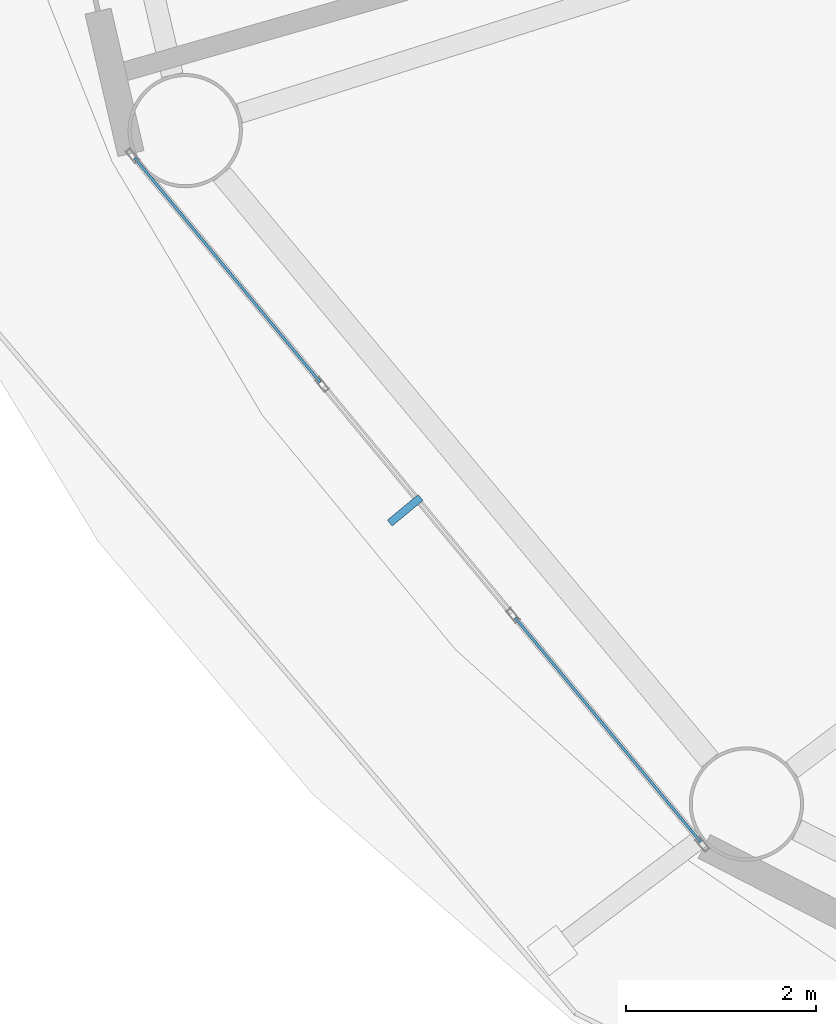
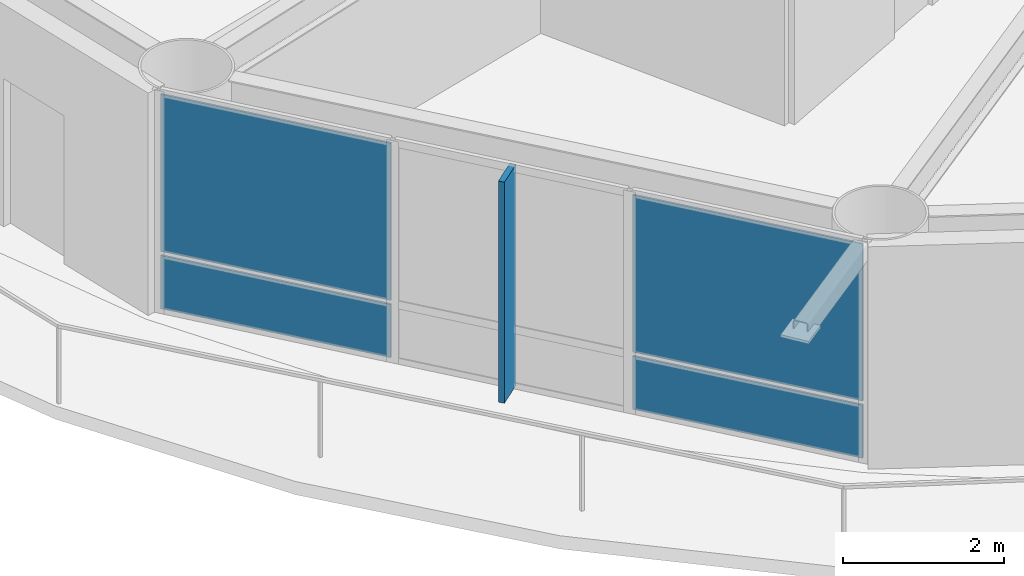
# One storey, part 14 of 24: 5 plates, 1 element without a shape of its own.
"""IFC4 building model written with IfcOpenShell, lengths in metres."""

from ifc_helpers import new_model, si_unit, direction, frame, origin, origin_2d, place, context, subcontext, project, spatial, rectangle, extrude, material, layer, layer_set, type_object, element, aggregate, save


model = new_model("IFC4")

# Units and contexts
model_context = context("Model", 3, precision=1e-05, world=origin(), true_north=direction((0.0, 1.0)))
body_context = subcontext(model_context, "Body", "Model", "MODEL_VIEW")
ifc_project = project(units=[si_unit("LENGTHUNIT", "METRE"), si_unit("AREAUNIT", "SQUARE_METRE"), si_unit("VOLUMEUNIT", "CUBIC_METRE"), si_unit("PLANEANGLEUNIT", "RADIAN"), si_unit("MASSUNIT", "GRAM", prefix="KILO")], contexts=[model_context])

# Site, building, storey
site_placement = place(None, origin())
site = spatial("IfcSite", under=ifc_project, at=site_placement, CompositionType="ELEMENT")
building_placement = place(site_placement, origin())
building = spatial("IfcBuilding", under=site, at=building_placement, Name="Sarneth Arch Tower", CompositionType="ELEMENT")
storey_placement = place(building_placement, frame((0.0, 0.0, 98.39990234375)))
storey = spatial("IfcBuildingStorey", under=building, at=storey_placement, Name="L24", CompositionType="ELEMENT", Elevation=98.39990234375)

# Curtain wall, plates
ifc_material_1 = material(Name="Anodised aluminium Type AA25 and solar-control low-e laminated IGU", Category="aluminium")
ifc_layer_1 = layer(ifc_material_1, 0.159912109375)
ifc_layer_set_1 = layer_set([ifc_layer_1], Name="Anodised aluminium Type AA25 and solar-control low-e laminated IGU")
curtain_wall_type = type_object("IfcCurtainWallType", Name="CW-HOTEL-MID", PredefinedType="NOTDEFINED", material=ifc_layer_set_1)
curtain_wall_placement = place(storey_placement, origin())
curtain_wall = element("IfcCurtainWall", 1, at=curtain_wall_placement, inside=storey, type_object=curtain_wall_type, Name="L24 Unitised curtain wall facet 10", PredefinedType="NOTDEFINED")
ifc_material_2 = material(Name="Solar-control low-e laminated IGU", Category="glass")
ifc_layer_2 = layer(ifc_material_2, 0.028076171875)
ifc_layer_set_2 = layer_set([ifc_layer_2], Name="Solar-control low-e laminated IGU")
plate_type_1 = type_object("IfcPlateType", Name="CW-PANEL", PredefinedType="CURTAIN_PANEL", material=ifc_layer_set_2)
plate_1_placement = place(storey_placement, frame((22.15185546875, 32.192138671875, 0.06005859375), z_axis=(0.0, 0.0, 1.0), x_axis=(0.637515188684, -0.770437787363, 0.0)))
plate_1 = element("IfcPlate", 2, at=plate_1_placement, type_object=plate_type_1, Name="Curtain wall glazed vision pane CW-L24-F10/P00-00", PredefinedType="CURTAIN_PANEL", context=body_context, shape_type="SweptSolid", body=[
    extrude(rectangle(XDim=3.058349609375, YDim=0.028076171875, at=origin_2d()), origin(), (0.0, 0.0, 1.0), 0.81005859375),
])
plate_2_placement = place(storey_placement, frame((22.15185546875, 32.192138671875, 0.93017578125), z_axis=(0.0, 0.0, 1.0), x_axis=(0.637515188684, -0.770437787363, 0.0)))
plate_2 = element("IfcPlate", 3, at=plate_2_placement, type_object=plate_type_1, Name="Curtain wall glazed vision pane CW-L24-F10/P00-01", PredefinedType="CURTAIN_PANEL", context=body_context, shape_type="SweptSolid", body=[
    extrude(rectangle(XDim=3.058349609375, YDim=0.028076171875, at=origin_2d()), origin(), (0.0, 0.0, 1.0), 2.389892578125),
])
plate_3_placement = place(storey_placement, frame((26.14697265625, 27.364013671875, 0.06005859375), z_axis=(0.0, 0.0, 1.0), x_axis=(0.637515188684, -0.770437787363, 0.0)))
plate_3 = element("IfcPlate", 4, at=plate_3_placement, type_object=plate_type_1, Name="Curtain wall glazed vision pane CW-L24-F10/P02-00", PredefinedType="CURTAIN_PANEL", context=body_context, shape_type="SweptSolid", body=[
    extrude(rectangle(XDim=3.058349609375, YDim=0.028076171875, at=origin_2d()), origin(), (0.0, 0.0, 1.0), 0.81005859375),
])
plate_4_placement = place(storey_placement, frame((26.14697265625, 27.364013671875, 0.93017578125), z_axis=(0.0, 0.0, 1.0), x_axis=(0.637515188684, -0.770437787363, 0.0)))
plate_4 = element("IfcPlate", 5, at=plate_4_placement, type_object=plate_type_1, Name="Curtain wall glazed vision pane CW-L24-F10/P02-01", PredefinedType="CURTAIN_PANEL", context=body_context, shape_type="SweptSolid", body=[
    extrude(rectangle(XDim=3.058349609375, YDim=0.028076171875, at=origin_2d()), origin(), (0.0, 0.0, 1.0), 2.389892578125),
])
aggregate(curtain_wall, [plate_1, plate_2, plate_3, plate_4])

# Plate
ifc_material_3 = material(Name="Extruded glazed terracotta baguette fin on Aluminium 6063-T6 carrier", Category="masonry")
ifc_layer_3 = layer(ifc_material_3, 0.080078125)
ifc_layer_set_3 = layer_set([ifc_layer_3], Name="Extruded glazed terracotta baguette fin on Aluminium 6063-T6 carrier")
plate_type_2 = type_object("IfcPlateType", Name="SHADE-TERRA-FIN", PredefinedType="SHEET", material=ifc_layer_set_3)
plate_5_placement = place(storey_placement, frame((24.018310546875, 29.669677734375, 0.01025390625), z_axis=(0.0, 0.0, 1.0), x_axis=(-0.770401979567, -0.63755845997, 0.0)))
element("IfcPlate", 6, at=plate_5_placement, inside=storey, type_object=plate_type_2, Name="L24 Terracotta vertical shading fin 10", PredefinedType="SHEET", context=body_context, shape_type="SweptSolid", body=[
    extrude(rectangle(XDim=0.419921875, YDim=0.080078125, at=origin_2d()), origin(), (0.0, 0.0, 1.0), 3.360107421875),
])

save(model, "model.ifc")
